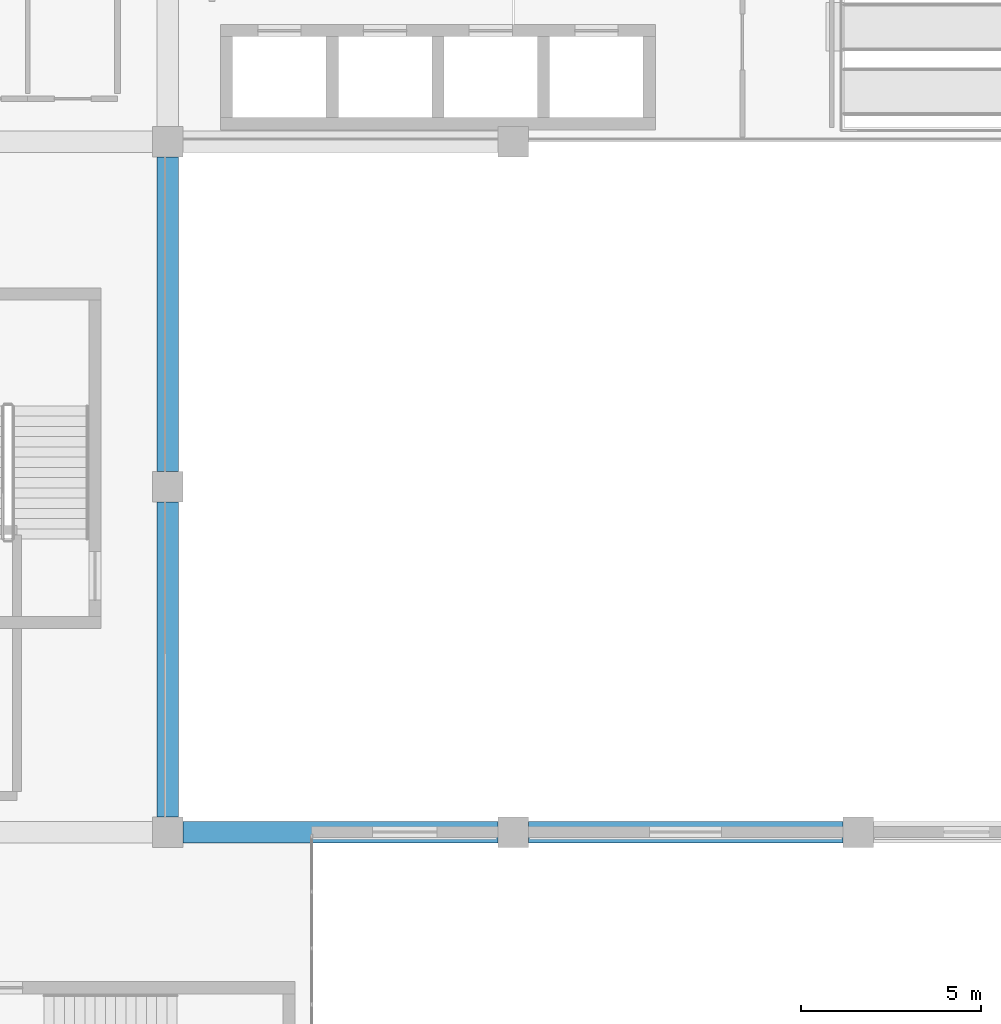
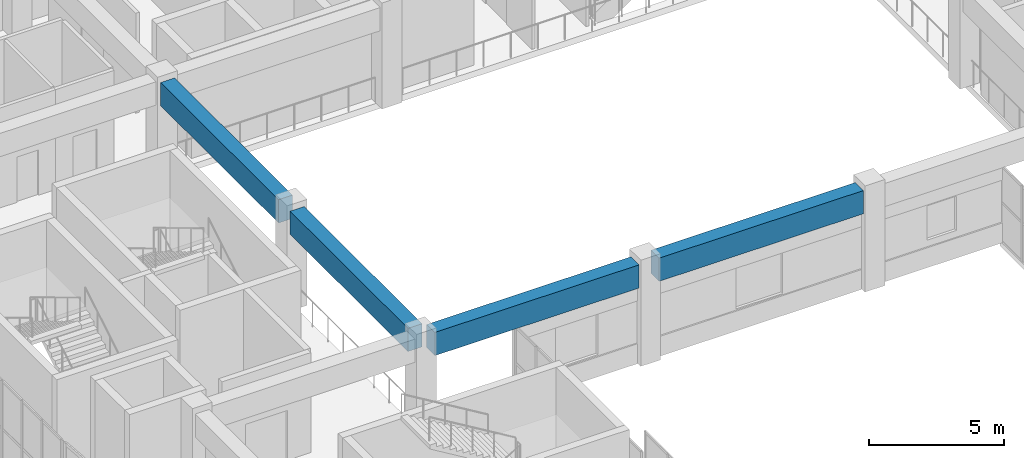
# One storey, part 5 of 67: 4 beams.
"""IFC4 building model written with IfcOpenShell, lengths in metres."""

from ifc_helpers import new_model, si_unit, direction, frame, origin, origin_2d, place, context, subcontext, project, spatial, rectangle, extrude, material, material_profile, profile_set, type_object, element, save


model = new_model("IFC4")

# Units and contexts
model_context = context("Model", 3, precision=1e-05, world=origin(), true_north=direction((0.0, 1.0)))
body_context = subcontext(model_context, "Body", "Model", "MODEL_VIEW")
ifc_project = project(units=[si_unit("LENGTHUNIT", "METRE"), si_unit("AREAUNIT", "SQUARE_METRE"), si_unit("VOLUMEUNIT", "CUBIC_METRE"), si_unit("PLANEANGLEUNIT", "RADIAN"), si_unit("MASSUNIT", "GRAM", prefix="KILO")], contexts=[model_context])

# Site, building, storey
site_placement = place(None, origin())
site = spatial("IfcSite", under=ifc_project, at=site_placement, CompositionType="ELEMENT")
building_placement = place(site_placement, origin())
building = spatial("IfcBuilding", under=site, at=building_placement, Name="Cendralis Terraced Arcade", CompositionType="ELEMENT")
storey_placement = place(building_placement, frame((0.0, 0.0, 15.0)))
storey = spatial("IfcBuildingStorey", under=building, at=storey_placement, Name="L03", CompositionType="ELEMENT", Elevation=15.0)

# Beams
ifc_material = material(Name="Concrete f'c 35 MPa", Category="concrete")
ifc_material_profile = material_profile(ifc_material, rectangle(XDim=0.60009765625, YDim=1.050048828125, at=origin_2d()), Name="RC-BM-600x1050", Category="LoadBearing")
ifc_profile_set = profile_set([ifc_material_profile], Name="Concrete f'c 35 MPa")
beam_type = type_object("IfcBeamType", Name="BM-600x1050", PredefinedType="JOIST", material=ifc_profile_set)
for number, where, z_axis, x_axis, name in (
    (1, (19.625, 19.199951171875, 3.9951171875), (1.0, 0.0, 0.0), (0.0, 1.0, 0.0), "Reinforced Concrete Frame Beam BM-X-L04-C-3_4"),
    (2, (29.22509765625, 19.199951171875, 3.9951171875), (1.0, 0.0, 0.0), (0.0, 1.0, 0.0), "Reinforced Concrete Frame Beam BM-X-L04-C-4_5"),
    (3, (19.199951171875, 19.625, 3.9951171875), (0.0, 1.0, 0.0), (-1.0, 0.0, 0.0), "Reinforced Concrete Frame Beam BM-Y-L04-3-C_D"),
    (4, (19.199951171875, 29.22509765625, 3.9951171875), (0.0, 1.0, 0.0), (-1.0, 0.0, 0.0), "Reinforced Concrete Frame Beam BM-Y-L04-3-D_E"),
):
    element("IfcBeam", number, at=place(storey_placement, frame(where, z_axis=z_axis, x_axis=x_axis)), inside=storey, type_object=beam_type, Name=name, PredefinedType="JOIST", context=body_context, shape_type="SweptSolid", body=[
        extrude(rectangle(XDim=0.60009765625, YDim=1.050048828125, at=origin_2d()), origin(), (0.0, 0.0, 1.0), 8.75),
    ])

save(model, "model.ifc")
